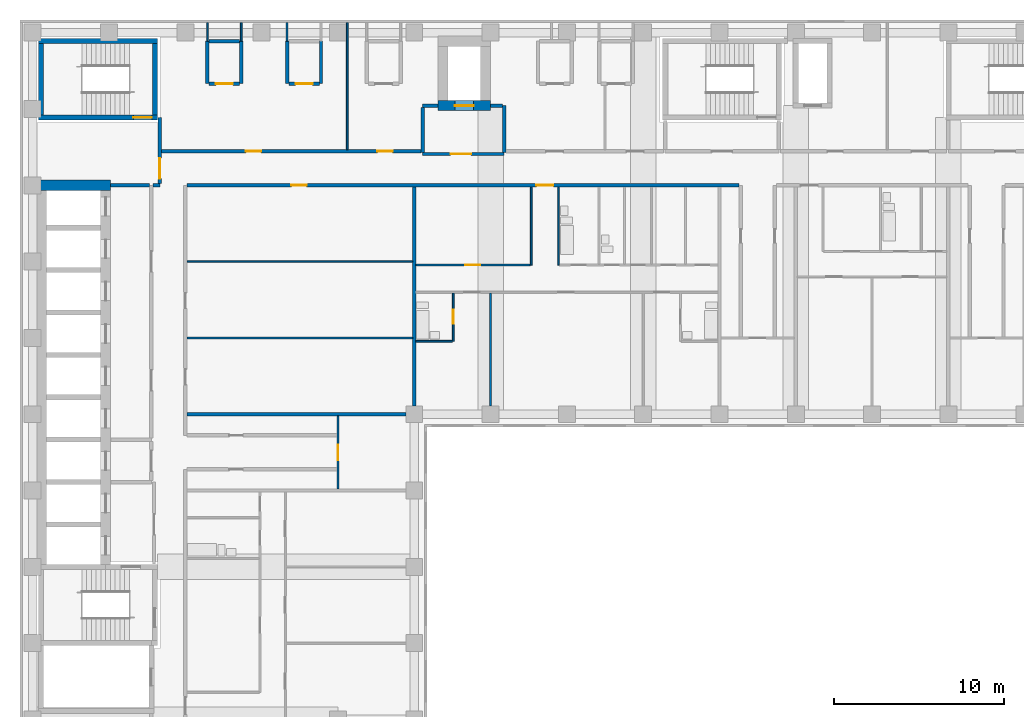
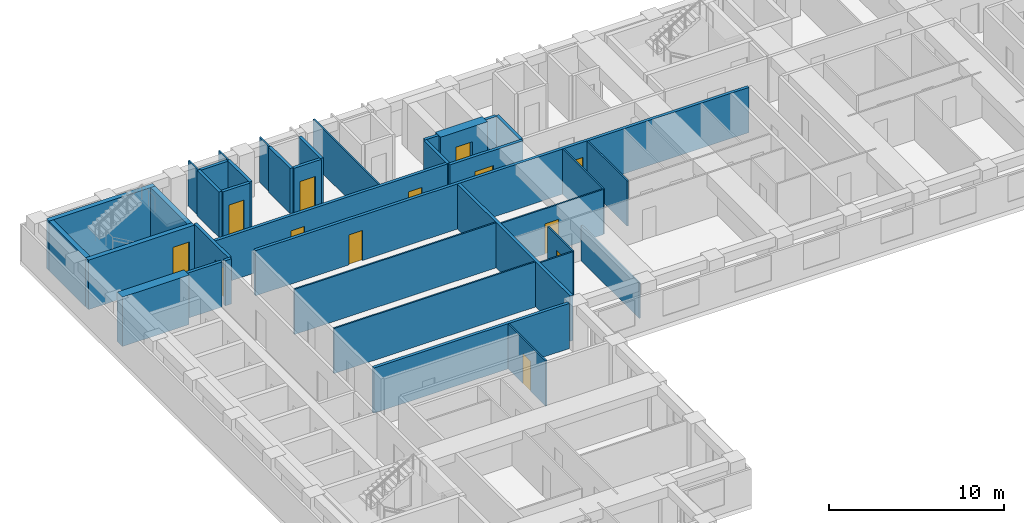
# One storey, part 5 of 12: 38 walls, 13 doors, 13 openings.
"""IFC4 building model written with IfcOpenShell, lengths in metres."""

from ifc_helpers import new_model, si_unit, direction, frame, frame_2d, origin, place, context, subcontext, project, spatial, rectangle, extrude, material, layer, layer_set, type_object, element, fill, save


model = new_model("IFC4")

# Units and contexts
model_context = context("Model", 3, precision=1e-05, world=origin(), true_north=direction((0.0, 1.0)))
body_context = subcontext(model_context, "Body", "Model", "MODEL_VIEW")
ifc_project = project(units=[si_unit("LENGTHUNIT", "METRE"), si_unit("AREAUNIT", "SQUARE_METRE"), si_unit("VOLUMEUNIT", "CUBIC_METRE"), si_unit("PLANEANGLEUNIT", "RADIAN"), si_unit("MASSUNIT", "GRAM", prefix="KILO")], contexts=[model_context])

# Site, building, storey
site_placement = place(None, origin())
site = spatial("IfcSite", under=ifc_project, at=site_placement, CompositionType="ELEMENT")
building_placement = place(site_placement, origin())
building = spatial("IfcBuilding", under=site, at=building_placement, Name="Firuza Court", CompositionType="ELEMENT")
storey_placement = place(building_placement, frame((0.0, 0.0, 170.0)))
storey = spatial("IfcBuildingStorey", under=building, at=storey_placement, Name="L43", CompositionType="ELEMENT", Elevation=170.0)

# Wall
ifc_material_1 = material(Name="Moisture-resistant gypsum board partition")
ifc_layer_1 = layer(ifc_material_1, 0.10009765625)
ifc_layer_set_1 = layer_set([ifc_layer_1], Name="Moisture-resistant gypsum board partition")
wall_type_1 = type_object("IfcWallType", Name="Bathroom partition 100", PredefinedType="PLUMBINGWALL", material=ifc_layer_set_1)
wall_1_placement = place(storey_placement, frame((22.60009765625, 40.300048828125, 0.0), z_axis=(0.0, 0.0, 1.0), x_axis=(1.0, 0.0, 0.0)))
element("IfcWall", 1, at=wall_1_placement, inside=storey, type_object=wall_type_1, Name="Bathroom partition 100 L43", PredefinedType="PLUMBINGWALL", context=body_context, shape_type="SweptSolid", body=[
    extrude(rectangle(XDim=2.14990234375, YDim=0.10009765625, at=frame_2d((1.074951171875, 0.0))), origin(), (0.0, 0.0, 1.0), 3.14990234375),
])

# Wall, opening, door
wall_2_placement = place(storey_placement, frame((24.800048828125, 40.300048828125, 0.0), z_axis=(0.0, 0.0, 1.0), x_axis=(0.0, 1.0, 0.0)))
wall_2 = element("IfcWall", 2, at=wall_2_placement, inside=storey, type_object=wall_type_1, Name="Bathroom partition 100 L43", PredefinedType="PLUMBINGWALL", context=body_context, shape_type="SweptSolid", body=[
    extrude(rectangle(XDim=2.849853515625, YDim=0.10009765625, at=frame_2d((1.4248046875, 0.0))), origin(), (0.0, 0.0, 1.0), 3.14990234375),
])
opening_1_placement = place(wall_2_placement, frame((1.050048828125, 0.0, 0.0)))
opening_1 = element("IfcOpeningElement", 3, at=opening_1_placement, cuts=wall_2, Name="Opening D43040", PredefinedType="OPENING", context=body_context, shape_type="SweptSolid", body=[
    extrude(rectangle(XDim=0.800048828125, YDim=2.10009765625, at=frame_2d((0.39990234375, 1.050048828125))), frame((0.0, 0.06201171875, 0.0), z_axis=(0.0, -1.0, 0.0), x_axis=(1.0, 0.0, 0.0)), (0.0, 0.0, 1.0), 0.1240234375),
])
ifc_material_2 = material(Name="Timber door leaf in hardwood frame", Category="wood")
door_type_1 = type_object("IfcDoorType", Name="Bathroom door 800", OperationType="SINGLE_SWING_LEFT", PredefinedType="DOOR", material=ifc_material_2)
door_1_placement = place(opening_1_placement, origin())
door_1 = element("IfcDoor", 4, at=door_1_placement, inside=storey, type_object=door_type_1, Name="En-suite door", OperationType="SINGLE_SWING_LEFT", OverallHeight=2.10009765625, OverallWidth=0.800048828125, PredefinedType="DOOR", context=body_context, shape_type="SweptSolid", body=[
    extrude(rectangle(XDim=0.800048828125, YDim=2.10009765625, at=frame_2d((0.39990234375, 1.050048828125))), frame((0.0, 0.02490234375, 0.0), z_axis=(0.0, -1.0, 0.0), x_axis=(1.0, 0.0, 0.0)), (0.0, 0.0, 1.0), 0.050048828125),
])
fill(opening_1, door_1)

# Wall
wall_3_placement = place(storey_placement, frame((31.0, 44.800048828125, 0.0), z_axis=(0.0, 0.0, 1.0), x_axis=(0.0, 1.0, 0.0)))
element("IfcWall", 5, at=wall_3_placement, inside=storey, type_object=wall_type_1, Name="Bathroom partition 100 L43", PredefinedType="PLUMBINGWALL", context=body_context, shape_type="SweptSolid", body=[
    extrude(rectangle(XDim=4.599853515625, YDim=0.10009765625, at=frame_2d((2.2998046875, 0.0))), origin(), (0.0, 0.0, 1.0), 3.14990234375),
])

# Wall, opening, door
ifc_material_3 = material(Name="Concrete C60/75", Category="concrete")
ifc_layer_2 = layer(ifc_material_3, 0.300048828125)
ifc_layer_set_2 = layer_set([ifc_layer_2], Name="Concrete C60/75")
wall_type_2 = type_object("IfcWallType", Name="Core wall 300 C60/75", PredefinedType="SHEAR", material=ifc_layer_set_2)
wall_4_placement = place(storey_placement, frame((0.35009765625, 53.5, -0.300048828125), z_axis=(0.0, 0.0, 1.0), x_axis=(1.0, 0.0, 0.0)))
wall_4 = element("IfcWall", 6, at=wall_4_placement, inside=storey, type_object=wall_type_2, Name="Core wall stair L43", PredefinedType="SHEAR", context=body_context, shape_type="SweptSolid", body=[
    extrude(rectangle(XDim=7.0, YDim=0.300048828125, at=frame_2d((3.5, 0.0))), origin(), (0.0, 0.0, 1.0), 3.449951171875),
])
opening_2_placement = place(wall_4_placement, frame((5.580078125, 0.0, 0.300048828125)))
opening_2 = element("IfcOpeningElement", 7, at=opening_2_placement, cuts=wall_4, Name="Opening D43015", PredefinedType="OPENING", context=body_context, shape_type="SweptSolid", body=[
    extrude(rectangle(XDim=1.10009765625, YDim=2.10009765625, at=frame_2d((0.550048828125, 1.050048828125))), frame((0.0, 0.162109375, 0.0), z_axis=(0.0, -1.0, 0.0), x_axis=(1.0, 0.0, 0.0)), (0.0, 0.0, 1.0), 0.323974609375),
])
ifc_material_4 = material(Name="Timber door leaf in hardwood frame", Category="wood")
door_type_2 = type_object("IfcDoorType", Name="Stair door 1100", OperationType="SINGLE_SWING_LEFT", PredefinedType="DOOR", material=ifc_material_4)
door_2_placement = place(opening_2_placement, origin())
door_2 = element("IfcDoor", 8, at=door_2_placement, inside=storey, type_object=door_type_2, Name="Stair door S3", OperationType="SINGLE_SWING_RIGHT", OverallHeight=2.10009765625, OverallWidth=1.10009765625, PredefinedType="DOOR", context=body_context, shape_type="SweptSolid", body=[
    extrude(rectangle(XDim=1.10009765625, YDim=2.10009765625, at=frame_2d((0.550048828125, 1.050048828125))), frame((0.0, 0.02490234375, 0.0), z_axis=(0.0, -1.0, 0.0), x_axis=(1.0, 0.0, 0.0)), (0.0, 0.0, 1.0), 0.050048828125),
])
fill(opening_2, door_2)

# Walls
wall_5_placement = place(storey_placement, frame((0.35009765625, 58.0, -0.300048828125), z_axis=(0.0, 0.0, 1.0), x_axis=(1.0, 0.0, 0.0)))
element("IfcWall", 9, at=wall_5_placement, inside=storey, type_object=wall_type_2, Name="Core wall stair L43", PredefinedType="SHEAR", context=body_context, shape_type="SweptSolid", body=[
    extrude(rectangle(XDim=7.0, YDim=0.300048828125, at=frame_2d((3.5, 0.0))), origin(), (0.0, 0.0, 1.0), 3.449951171875),
])
for number, where, z_axis, x_axis, name in (
    (10, (0.5, 53.64990234375, -0.300048828125), (0.0, 0.0, 1.0), (0.0, 1.0, 0.0), "Core wall stair L43"),
    (11, (7.199951171875, 53.64990234375, -0.300048828125), (0.0, 0.0, 1.0), (0.0, 1.0, 0.0), "Core wall stair L43"),
):
    element("IfcWall", number, at=place(storey_placement, frame(where, z_axis=z_axis, x_axis=x_axis)), inside=storey, type_object=wall_type_2, Name=name, PredefinedType="SHEAR", context=body_context, shape_type="SweptSolid", body=[
        extrude(rectangle(XDim=4.2001953125, YDim=0.300048828125, at=frame_2d((2.10009765625, 0.0))), origin(), (0.0, 0.0, 1.0), 3.449951171875),
    ])
ifc_layer_3 = layer(ifc_material_3, 0.60009765625)
ifc_layer_set_3 = layer_set([ifc_layer_3], Name="Concrete C60/75")
wall_type_3 = type_object("IfcWallType", Name="Core wall 600 C60/75", PredefinedType="SHEAR", material=ifc_layer_set_3)
wall_6_placement = place(storey_placement, frame((0.199951171875, 49.5, -0.300048828125), z_axis=(0.0, 0.0, 1.0), x_axis=(1.0, 0.0, 0.0)))
element("IfcWall", 12, at=wall_6_placement, inside=storey, type_object=wall_type_3, Name="Core wall lift shaft L43", PredefinedType="SHEAR", context=body_context, shape_type="SweptSolid", body=[
    extrude(rectangle(XDim=4.400146484375, YDim=0.60009765625, at=frame_2d((2.2001953125, 0.0))), origin(), (0.0, 0.0, 1.0), 3.449951171875),
])

# Wall, opening, door
wall_7_placement = place(storey_placement, frame((23.89990234375, 54.199951171875, -0.300048828125), z_axis=(0.0, 0.0, 1.0), x_axis=(1.0, 0.0, 0.0)))
wall_7 = element("IfcWall", 13, at=wall_7_placement, inside=storey, type_object=wall_type_3, Name="Core wall lift shaft L43", PredefinedType="SHEAR", context=body_context, shape_type="SweptSolid", body=[
    extrude(rectangle(XDim=3.10009765625, YDim=0.60009765625, at=frame_2d((1.550048828125, 0.0))), origin(), (0.0, 0.0, 1.0), 3.449951171875),
])
opening_3_placement = place(wall_7_placement, frame((1.0, 0.0, 0.300048828125)))
opening_3 = element("IfcOpeningElement", 14, at=opening_3_placement, cuts=wall_7, Name="Opening LD-FL3-43", PredefinedType="OPENING", context=body_context, shape_type="SweptSolid", body=[
    extrude(rectangle(XDim=1.10009765625, YDim=2.10009765625, at=frame_2d((0.550048828125, 1.050048828125))), frame((0.0, 0.31201171875, 0.0), z_axis=(0.0, -1.0, 0.0), x_axis=(1.0, 0.0, 0.0)), (0.0, 0.0, 1.0), 0.6240234375),
])
ifc_material_5 = material(Name="Stainless steel 1.4301 door leaf", Category="steel")
door_type_3 = type_object("IfcDoorType", Name="Lift landing door 1100", OperationType="SLIDING_TO_LEFT", PredefinedType="DOOR", material=ifc_material_5)
door_3_placement = place(opening_3_placement, origin())
door_3 = element("IfcDoor", 15, at=door_3_placement, inside=storey, type_object=door_type_3, Name="Landing door FL3", OperationType="SLIDING_TO_LEFT", OverallHeight=2.10009765625, OverallWidth=1.10009765625, PredefinedType="DOOR", context=body_context, shape_type="SweptSolid", body=[
    extrude(rectangle(XDim=1.10009765625, YDim=2.10009765625, at=frame_2d((0.550048828125, 1.050048828125))), frame((0.0, 0.02490234375, 0.0), z_axis=(0.0, -1.0, 0.0), x_axis=(1.0, 0.0, 0.0)), (0.0, 0.0, 1.0), 0.050048828125),
])
fill(opening_3, door_3)

# Wall, openings, doors
ifc_material_6 = material(Name="Blockwork, plastered both sides", Category="masonry")
ifc_layer_4 = layer(ifc_material_6, 0.199951171875)
ifc_layer_set_4 = layer_set([ifc_layer_4], Name="Blockwork, plastered both sides")
wall_type_4 = type_object("IfcWallType", Name="Corridor wall 200", PredefinedType="PARTITIONING", material=ifc_layer_set_4)
wall_8_placement = place(storey_placement, frame((9.10009765625, 49.5, 0.0), z_axis=(0.0, 0.0, 1.0), x_axis=(1.0, 0.0, 0.0)))
wall_8 = element("IfcWall", 16, at=wall_8_placement, inside=storey, type_object=wall_type_4, Name="Corridor wall 200 L43", PredefinedType="PARTITIONING", context=body_context, shape_type="SweptSolid", body=[
    extrude(rectangle(XDim=32.5498046875, YDim=0.199951171875, at=frame_2d((16.27490234375, 0.0))), origin(), (0.0, 0.0, 1.0), 3.14990234375),
])
opening_4_placement = place(wall_8_placement, frame((20.60009765625, 0.0, 0.0)))
opening_4 = element("IfcOpeningElement", 17, at=opening_4_placement, cuts=wall_8, Name="Opening D43067", PredefinedType="OPENING", context=body_context, shape_type="SweptSolid", body=[
    extrude(rectangle(XDim=1.0, YDim=2.10009765625, at=frame_2d((0.5, 1.050048828125))), frame((0.0, 0.11181640625, 0.0), z_axis=(0.0, -1.0, 0.0), x_axis=(1.0, 0.0, 0.0)), (0.0, 0.0, 1.0), 0.223876953125),
])
opening_5_placement = place(wall_8_placement, frame((6.14990234375, 0.0, 0.0)))
opening_5 = element("IfcOpeningElement", 18, at=opening_5_placement, cuts=wall_8, Name="Opening D43068", PredefinedType="OPENING", context=body_context, shape_type="SweptSolid", body=[
    extrude(rectangle(XDim=0.89990234375, YDim=2.10009765625, at=frame_2d((0.449951171875, 1.050048828125))), frame((0.0, 0.11181640625, 0.0), z_axis=(0.0, -1.0, 0.0), x_axis=(1.0, 0.0, 0.0)), (0.0, 0.0, 1.0), 0.223876953125),
])
ifc_material_7 = material(Name="Timber door leaf in hardwood frame", Category="wood")
door_type_4 = type_object("IfcDoorType", Name="Flat entrance door 1000", OperationType="SINGLE_SWING_LEFT", PredefinedType="DOOR", material=ifc_material_7)
door_4_placement = place(opening_4_placement, origin())
door_4 = element("IfcDoor", 19, at=door_4_placement, inside=storey, type_object=door_type_4, Name="Flat entrance door", OperationType="SINGLE_SWING_LEFT", OverallHeight=2.10009765625, OverallWidth=1.0, PredefinedType="DOOR", context=body_context, shape_type="SweptSolid", body=[
    extrude(rectangle(XDim=1.0, YDim=2.10009765625, at=frame_2d((0.5, 1.050048828125))), frame((0.0, 0.02490234375, 0.0), z_axis=(0.0, -1.0, 0.0), x_axis=(1.0, 0.0, 0.0)), (0.0, 0.0, 1.0), 0.050048828125),
])
fill(opening_4, door_4)
ifc_material_8 = material(Name="Timber door leaf in hardwood frame", Category="wood")
door_type_5 = type_object("IfcDoorType", Name="Room door 900 EI 30", OperationType="SINGLE_SWING_LEFT", PredefinedType="DOOR", material=ifc_material_8)
door_5_placement = place(opening_5_placement, frame((0.89990234375, 0.0, 0.0), z_axis=(0.0, 0.0, 1.0), x_axis=(-1.0, 0.0, 0.0)))
door_5 = element("IfcDoor", 20, at=door_5_placement, inside=storey, type_object=door_type_5, Name="Business room door", OperationType="SINGLE_SWING_RIGHT", OverallHeight=2.10009765625, OverallWidth=0.89990234375, PredefinedType="DOOR", context=body_context, shape_type="SweptSolid", body=[
    extrude(rectangle(XDim=0.89990234375, YDim=2.10009765625, at=frame_2d((0.449951171875, 1.050048828125))), frame((0.0, 0.02490234375, 0.0), z_axis=(0.0, -1.0, 0.0), x_axis=(1.0, 0.0, 0.0)), (0.0, 0.0, 1.0), 0.050048828125),
])
fill(opening_5, door_5)

wall_9_placement = place(storey_placement, frame((7.60009765625, 51.5, 0.0), z_axis=(0.0, 0.0, 1.0), x_axis=(1.0, 0.0, 0.0)))
wall_9 = element("IfcWall", 21, at=wall_9_placement, inside=storey, type_object=wall_type_4, Name="Corridor wall 200 L43", PredefinedType="PARTITIONING", context=body_context, shape_type="SweptSolid", body=[
    extrude(rectangle(XDim=15.2998046875, YDim=0.199951171875, at=frame_2d((7.64990234375, 0.0))), origin(), (0.0, 0.0, 1.0), 3.14990234375),
])
opening_6_placement = place(wall_9_placement, frame((4.97509765625, 0.0, 0.0)))
opening_6 = element("IfcOpeningElement", 22, at=opening_6_placement, cuts=wall_9, Name="Opening D43071", PredefinedType="OPENING", context=body_context, shape_type="SweptSolid", body=[
    extrude(rectangle(XDim=0.89990234375, YDim=2.10009765625, at=frame_2d((0.449951171875, 1.050048828125))), frame((0.0, 0.11181640625, 0.0), z_axis=(0.0, -1.0, 0.0), x_axis=(1.0, 0.0, 0.0)), (0.0, 0.0, 1.0), 0.223876953125),
])
opening_7_placement = place(wall_9_placement, frame((12.72509765625, 0.0, 0.0)))
opening_7 = element("IfcOpeningElement", 23, at=opening_7_placement, cuts=wall_9, Name="Opening D43072", PredefinedType="OPENING", context=body_context, shape_type="SweptSolid", body=[
    extrude(rectangle(XDim=0.89990234375, YDim=2.10009765625, at=frame_2d((0.449951171875, 1.050048828125))), frame((0.0, 0.11181640625, 0.0), z_axis=(0.0, -1.0, 0.0), x_axis=(1.0, 0.0, 0.0)), (0.0, 0.0, 1.0), 0.223876953125),
])
door_6_placement = place(opening_6_placement, origin())
door_6 = element("IfcDoor", 24, at=door_6_placement, inside=storey, type_object=door_type_5, Name="Residents' workroom door", OperationType="SINGLE_SWING_LEFT", OverallHeight=2.10009765625, OverallWidth=0.89990234375, PredefinedType="DOOR", context=body_context, shape_type="SweptSolid", body=[
    extrude(rectangle(XDim=0.89990234375, YDim=2.10009765625, at=frame_2d((0.449951171875, 1.050048828125))), frame((0.0, 0.02490234375, 0.0), z_axis=(0.0, -1.0, 0.0), x_axis=(1.0, 0.0, 0.0)), (0.0, 0.0, 1.0), 0.050048828125),
])
fill(opening_6, door_6)
door_7_placement = place(opening_7_placement, origin())
door_7 = element("IfcDoor", 25, at=door_7_placement, inside=storey, type_object=door_type_5, Name="Residents' workroom door", OperationType="SINGLE_SWING_LEFT", OverallHeight=2.10009765625, OverallWidth=0.89990234375, PredefinedType="DOOR", context=body_context, shape_type="SweptSolid", body=[
    extrude(rectangle(XDim=0.89990234375, YDim=2.10009765625, at=frame_2d((0.449951171875, 1.050048828125))), frame((0.0, 0.02490234375, 0.0), z_axis=(0.0, -1.0, 0.0), x_axis=(1.0, 0.0, 0.0)), (0.0, 0.0, 1.0), 0.050048828125),
])
fill(opening_7, door_7)

# Wall, opening, door
ifc_material_9 = material(Name="Timber stud partition, plasterboard both sides", Category="wood")
ifc_layer_5 = layer(ifc_material_9, 0.10009765625)
ifc_layer_set_5 = layer_set([ifc_layer_5], Name="Timber stud partition, plasterboard both sides")
wall_type_5 = type_object("IfcWallType", Name="Partition wall 100", PredefinedType="PARTITIONING", material=ifc_layer_set_5)
wall_10_placement = place(storey_placement, frame((18.0, 31.60009765625, 0.0), z_axis=(0.0, 0.0, 1.0), x_axis=(0.0, 1.0, 0.0)))
wall_10 = element("IfcWall", 26, at=wall_10_placement, inside=storey, type_object=wall_type_5, Name="Partition wall 100 L43", PredefinedType="PARTITIONING", context=body_context, shape_type="SweptSolid", body=[
    extrude(rectangle(XDim=4.2998046875, YDim=0.10009765625, at=frame_2d((2.14990234375, 0.0))), origin(), (0.0, 0.0, 1.0), 3.14990234375),
])
opening_8_placement = place(wall_10_placement, frame((1.699951171875, 0.0, 0.0)))
opening_8 = element("IfcOpeningElement", 27, at=opening_8_placement, cuts=wall_10, Name="Opening D43035", PredefinedType="OPENING", context=body_context, shape_type="SweptSolid", body=[
    extrude(rectangle(XDim=0.89990234375, YDim=2.10009765625, at=frame_2d((0.449951171875, 1.050048828125))), frame((0.0, 0.06201171875, 0.0), z_axis=(0.0, -1.0, 0.0), x_axis=(1.0, 0.0, 0.0)), (0.0, 0.0, 1.0), 0.1240234375),
])
ifc_material_10 = material(Name="Timber door leaf in hardwood frame", Category="wood")
door_type_6 = type_object("IfcDoorType", Name="Room door 900", OperationType="SINGLE_SWING_LEFT", PredefinedType="DOOR", material=ifc_material_10)
door_8_placement = place(opening_8_placement, origin())
door_8 = element("IfcDoor", 28, at=door_8_placement, inside=storey, type_object=door_type_6, Name="Residents' lounge door", OperationType="SINGLE_SWING_LEFT", OverallHeight=2.10009765625, OverallWidth=0.89990234375, PredefinedType="DOOR", context=body_context, shape_type="SweptSolid", body=[
    extrude(rectangle(XDim=0.89990234375, YDim=2.10009765625, at=frame_2d((0.449951171875, 1.050048828125))), frame((0.0, 0.02490234375, 0.0), z_axis=(0.0, -1.0, 0.0), x_axis=(1.0, 0.0, 0.0)), (0.0, 0.0, 1.0), 0.050048828125),
])
fill(opening_8, door_8)

# Walls
wall_11_placement = place(storey_placement, frame((27.0, 36.5, 0.0), z_axis=(0.0, 0.0, 1.0), x_axis=(0.0, 1.0, 0.0)))
element("IfcWall", 29, at=wall_11_placement, inside=storey, type_object=wall_type_5, Name="Partition wall 100 L43", PredefinedType="PARTITIONING", context=body_context, shape_type="SweptSolid", body=[
    extrude(rectangle(XDim=6.64990234375, YDim=0.10009765625, at=frame_2d((3.324951171875, 0.0))), origin(), (0.0, 0.0, 1.0), 2.449951171875),
])
wall_12_placement = place(storey_placement, frame((9.10009765625, 40.5, 0.0), z_axis=(0.0, 0.0, 1.0), x_axis=(1.0, 0.0, 0.0)))
element("IfcWall", 30, at=wall_12_placement, inside=storey, type_object=wall_type_5, Name="Partition wall 100 L43", PredefinedType="PARTITIONING", context=body_context, shape_type="SweptSolid", body=[
    extrude(rectangle(XDim=13.2998046875, YDim=0.10009765625, at=frame_2d((6.64990234375, 0.0))), origin(), (0.0, 0.0, 1.0), 3.14990234375),
])

# Wall, opening, door
wall_13_placement = place(storey_placement, frame((22.60009765625, 44.800048828125, 0.0), z_axis=(0.0, 0.0, 1.0), x_axis=(1.0, 0.0, 0.0)))
wall_13 = element("IfcWall", 31, at=wall_13_placement, inside=storey, type_object=wall_type_5, Name="Partition wall 100 L43", PredefinedType="PARTITIONING", context=body_context, shape_type="SweptSolid", body=[
    extrude(rectangle(XDim=6.75, YDim=0.10009765625, at=frame_2d((3.375, 0.0))), origin(), (0.0, 0.0, 1.0), 3.14990234375),
])
opening_9_placement = place(wall_13_placement, frame((2.89990234375, 0.0, 0.0)))
opening_9 = element("IfcOpeningElement", 32, at=opening_9_placement, cuts=wall_13, Name="Opening D43055", PredefinedType="OPENING", context=body_context, shape_type="SweptSolid", body=[
    extrude(rectangle(XDim=0.89990234375, YDim=2.10009765625, at=frame_2d((0.449951171875, 1.050048828125))), frame((0.0, 0.06201171875, 0.0), z_axis=(0.0, -1.0, 0.0), x_axis=(1.0, 0.0, 0.0)), (0.0, 0.0, 1.0), 0.1240234375),
])
door_9_placement = place(opening_9_placement, origin())
door_9 = element("IfcDoor", 33, at=door_9_placement, inside=storey, type_object=door_type_6, Name="Kitchen door", OperationType="SINGLE_SWING_LEFT", OverallHeight=2.10009765625, OverallWidth=0.89990234375, PredefinedType="DOOR", context=body_context, shape_type="SweptSolid", body=[
    extrude(rectangle(XDim=0.89990234375, YDim=2.10009765625, at=frame_2d((0.449951171875, 1.050048828125))), frame((0.0, 0.02490234375, 0.0), z_axis=(0.0, -1.0, 0.0), x_axis=(1.0, 0.0, 0.0)), (0.0, 0.0, 1.0), 0.050048828125),
])
fill(opening_9, door_9)

# Walls
wall_14_placement = place(storey_placement, frame((29.39990234375, 44.800048828125, 0.0), z_axis=(0.0, 0.0, 1.0), x_axis=(0.0, 1.0, 0.0)))
element("IfcWall", 34, at=wall_14_placement, inside=storey, type_object=wall_type_5, Name="Partition wall 100 L43", PredefinedType="PARTITIONING", context=body_context, shape_type="SweptSolid", body=[
    extrude(rectangle(XDim=4.599853515625, YDim=0.10009765625, at=frame_2d((2.2998046875, 0.0))), origin(), (0.0, 0.0, 1.0), 3.14990234375),
])
wall_15_placement = place(storey_placement, frame((9.10009765625, 45.0, 0.0), z_axis=(0.0, 0.0, 1.0), x_axis=(1.0, 0.0, 0.0)))
element("IfcWall", 35, at=wall_15_placement, inside=storey, type_object=wall_type_5, Name="Partition wall 100 L43", PredefinedType="PARTITIONING", context=body_context, shape_type="SweptSolid", body=[
    extrude(rectangle(XDim=13.2998046875, YDim=0.10009765625, at=frame_2d((6.64990234375, 0.0))), origin(), (0.0, 0.0, 1.0), 3.14990234375),
])
wall_16_placement = place(storey_placement, frame((18.550048828125, 51.60009765625, 0.0), z_axis=(0.0, 0.0, 1.0), x_axis=(0.0, 1.0, 0.0)))
element("IfcWall", 36, at=wall_16_placement, inside=storey, type_object=wall_type_5, Name="Partition wall 100 L43", PredefinedType="PARTITIONING", context=body_context, shape_type="SweptSolid", body=[
    extrude(rectangle(XDim=7.5, YDim=0.10009765625, at=frame_2d((3.75, 0.0))), origin(), (0.0, 0.0, 1.0), 3.14990234375),
])
for number, where, z_axis, x_axis, name in (
    (37, (10.300048828125, 58.0, 0.0), (0.0, 0.0, 1.0), (0.0, 1.0, 0.0), "Partition wall 100 L43"),
    (38, (12.300048828125, 58.0, 0.0), (0.0, 0.0, 1.0), (0.0, 1.0, 0.0), "Partition wall 100 L43"),
    (39, (15.0, 58.0, 0.0), (0.0, 0.0, 1.0), (0.0, 1.0, 0.0), "Partition wall 100 L43"),
):
    element("IfcWall", number, at=place(storey_placement, frame(where, z_axis=z_axis, x_axis=x_axis)), inside=storey, type_object=wall_type_5, Name=name, PredefinedType="PARTITIONING", context=body_context, shape_type="SweptSolid", body=[
        extrude(rectangle(XDim=1.10009765625, YDim=0.10009765625, at=frame_2d((0.550048828125, 0.0))), origin(), (0.0, 0.0, 1.0), 3.14990234375),
    ])
ifc_layer_6 = layer(ifc_material_6, 0.199951171875)
ifc_layer_set_6 = layer_set([ifc_layer_6], Name="Blockwork, plastered both sides")
wall_type_6 = type_object("IfcWallType", Name="Party wall 200", PredefinedType="PARTITIONING", material=ifc_layer_set_6)
for number, where, z_axis, x_axis, name in (
    (40, (9.10009765625, 36.0, 0.0), (0.0, 0.0, 1.0), (1.0, 0.0, 0.0), "Party wall 200 L43"),
    (41, (22.5, 36.5, 0.0), (0.0, 0.0, 1.0), (0.0, 1.0, 0.0), "Party wall 200 L43"),
):
    element("IfcWall", number, at=place(storey_placement, frame(where, z_axis=z_axis, x_axis=x_axis)), inside=storey, type_object=wall_type_6, Name=name, PredefinedType="PARTITIONING", context=body_context, shape_type="SweptSolid", body=[
        extrude(rectangle(XDim=12.89990234375, YDim=0.199951171875, at=frame_2d((6.449951171875, 0.0))), origin(), (0.0, 0.0, 1.0), 3.14990234375),
    ])
ifc_material_11 = material(Name="Blockwork, fire-rated", Category="masonry")
ifc_layer_7 = layer(ifc_material_11, 0.199951171875)
ifc_layer_set_7 = layer_set([ifc_layer_7], Name="Blockwork, fire-rated")
wall_type_7 = type_object("IfcWallType", Name="Plant room wall 200", PredefinedType="PARTITIONING", material=ifc_layer_set_7)
wall_17_placement = place(storey_placement, frame((10.300048828125, 55.5, 0.0), z_axis=(0.0, 0.0, 1.0), x_axis=(0.0, 1.0, 0.0)))
element("IfcWall", 42, at=wall_17_placement, inside=storey, type_object=wall_type_7, Name="Plant room wall 200 L43", PredefinedType="PARTITIONING", context=body_context, shape_type="SweptSolid", body=[
    extrude(rectangle(XDim=2.5, YDim=0.199951171875, at=frame_2d((1.25, 0.0))), origin(), (0.0, 0.0, 1.0), 3.14990234375),
])

# Wall, opening, door
wall_18_placement = place(storey_placement, frame((10.39990234375, 55.5, 0.0), z_axis=(0.0, 0.0, 1.0), x_axis=(1.0, 0.0, 0.0)))
wall_18 = element("IfcWall", 43, at=wall_18_placement, inside=storey, type_object=wall_type_7, Name="Plant room wall 200 L43", PredefinedType="PARTITIONING", context=body_context, shape_type="SweptSolid", body=[
    extrude(rectangle(XDim=1.800048828125, YDim=0.199951171875, at=frame_2d((0.89990234375, 0.0))), origin(), (0.0, 0.0, 1.0), 3.14990234375),
])
opening_10_placement = place(wall_18_placement, frame((0.39990234375, 0.0, 0.0)))
opening_10 = element("IfcOpeningElement", 44, at=opening_10_placement, cuts=wall_18, Name="Opening D43078", PredefinedType="OPENING", context=body_context, shape_type="SweptSolid", body=[
    extrude(rectangle(XDim=1.0, YDim=2.10009765625, at=frame_2d((0.5, 1.050048828125))), frame((0.0, 0.11181640625, 0.0), z_axis=(0.0, -1.0, 0.0), x_axis=(1.0, 0.0, 0.0)), (0.0, 0.0, 1.0), 0.223876953125),
])
ifc_material_12 = material(Name="Timber door leaf in hardwood frame", Category="wood")
door_type_7 = type_object("IfcDoorType", Name="Riser door 1000", OperationType="SINGLE_SWING_LEFT", PredefinedType="DOOR", material=ifc_material_12)
door_10_placement = place(opening_10_placement, origin())
door_10 = element("IfcDoor", 45, at=door_10_placement, inside=storey, type_object=door_type_7, Name="Comms riser door", OperationType="SINGLE_SWING_LEFT", OverallHeight=2.10009765625, OverallWidth=1.0, PredefinedType="DOOR", context=body_context, shape_type="SweptSolid", body=[
    extrude(rectangle(XDim=1.0, YDim=2.10009765625, at=frame_2d((0.5, 1.050048828125))), frame((0.0, 0.02490234375, 0.0), z_axis=(0.0, -1.0, 0.0), x_axis=(1.0, 0.0, 0.0)), (0.0, 0.0, 1.0), 0.050048828125),
])
fill(opening_10, door_10)

# Walls
for number, where, z_axis, x_axis, name in (
    (46, (12.300048828125, 55.5, 0.0), (0.0, 0.0, 1.0), (0.0, 1.0, 0.0), "Plant room wall 200 L43"),
    (47, (15.0, 55.5, 0.0), (0.0, 0.0, 1.0), (0.0, 1.0, 0.0), "Plant room wall 200 L43"),
):
    element("IfcWall", number, at=place(storey_placement, frame(where, z_axis=z_axis, x_axis=x_axis)), inside=storey, type_object=wall_type_7, Name=name, PredefinedType="PARTITIONING", context=body_context, shape_type="SweptSolid", body=[
        extrude(rectangle(XDim=2.5, YDim=0.199951171875, at=frame_2d((1.25, 0.0))), origin(), (0.0, 0.0, 1.0), 3.14990234375),
    ])

# Wall, opening, door
wall_19_placement = place(storey_placement, frame((15.10009765625, 55.5, 0.0), z_axis=(0.0, 0.0, 1.0), x_axis=(1.0, 0.0, 0.0)))
wall_19 = element("IfcWall", 48, at=wall_19_placement, inside=storey, type_object=wall_type_7, Name="Plant room wall 200 L43", PredefinedType="PARTITIONING", context=body_context, shape_type="SweptSolid", body=[
    extrude(rectangle(XDim=1.7998046875, YDim=0.199951171875, at=frame_2d((0.89990234375, 0.0))), origin(), (0.0, 0.0, 1.0), 3.14990234375),
])
opening_11_placement = place(wall_19_placement, frame((0.39990234375, 0.0, 0.0)))
opening_11 = element("IfcOpeningElement", 49, at=opening_11_placement, cuts=wall_19, Name="Opening D43079", PredefinedType="OPENING", context=body_context, shape_type="SweptSolid", body=[
    extrude(rectangle(XDim=1.0, YDim=2.10009765625, at=frame_2d((0.5, 1.050048828125))), frame((0.0, 0.11181640625, 0.0), z_axis=(0.0, -1.0, 0.0), x_axis=(1.0, 0.0, 0.0)), (0.0, 0.0, 1.0), 0.223876953125),
])
door_11_placement = place(opening_11_placement, origin())
door_11 = element("IfcDoor", 50, at=door_11_placement, inside=storey, type_object=door_type_7, Name="Electrical riser door", OperationType="SINGLE_SWING_LEFT", OverallHeight=2.10009765625, OverallWidth=1.0, PredefinedType="DOOR", context=body_context, shape_type="SweptSolid", body=[
    extrude(rectangle(XDim=1.0, YDim=2.10009765625, at=frame_2d((0.5, 1.050048828125))), frame((0.0, 0.02490234375, 0.0), z_axis=(0.0, -1.0, 0.0), x_axis=(1.0, 0.0, 0.0)), (0.0, 0.0, 1.0), 0.050048828125),
])
fill(opening_11, door_11)

# Walls
wall_20_placement = place(storey_placement, frame((17.0, 55.5, 0.0), z_axis=(0.0, 0.0, 1.0), x_axis=(0.0, 1.0, 0.0)))
element("IfcWall", 51, at=wall_20_placement, inside=storey, type_object=wall_type_7, Name="Plant room wall 200 L43", PredefinedType="PARTITIONING", context=body_context, shape_type="SweptSolid", body=[
    extrude(rectangle(XDim=2.5, YDim=0.199951171875, at=frame_2d((1.25, 0.0))), origin(), (0.0, 0.0, 1.0), 3.14990234375),
])
wall_21_placement = place(storey_placement, frame((10.39990234375, 58.0, 0.0), z_axis=(0.0, 0.0, 1.0), x_axis=(1.0, 0.0, 0.0)))
element("IfcWall", 52, at=wall_21_placement, inside=storey, type_object=wall_type_7, Name="Plant room wall 200 L43", PredefinedType="PARTITIONING", context=body_context, shape_type="SweptSolid", body=[
    extrude(rectangle(XDim=1.800048828125, YDim=0.199951171875, at=frame_2d((0.89990234375, 0.0))), origin(), (0.0, 0.0, 1.0), 3.14990234375),
])
ifc_layer_8 = layer(ifc_material_11, 0.199951171875)
ifc_layer_set_8 = layer_set([ifc_layer_8], Name="Blockwork, fire-rated")
wall_type_8 = type_object("IfcWallType", Name="Shaft wall 200", PredefinedType="PARTITIONING", material=ifc_layer_set_8)
wall_22_placement = place(storey_placement, frame((4.60009765625, 49.5, 0.0), z_axis=(0.0, 0.0, 1.0), x_axis=(1.0, 0.0, 0.0)))
element("IfcWall", 53, at=wall_22_placement, inside=storey, type_object=wall_type_8, Name="Shaft wall 200 L43", PredefinedType="PARTITIONING", context=body_context, shape_type="SweptSolid", body=[
    extrude(rectangle(XDim=2.2998046875, YDim=0.199951171875, at=frame_2d((1.14990234375, 0.0))), origin(), (0.0, 0.0, 1.0), 3.14990234375),
])

# Wall, opening, door
wall_23_placement = place(storey_placement, frame((23.0, 51.35009765625, 0.0), z_axis=(0.0, 0.0, 1.0), x_axis=(1.0, 0.0, 0.0)))
wall_23 = element("IfcWall", 54, at=wall_23_placement, inside=storey, type_object=wall_type_8, Name="Shaft wall 200 L43", PredefinedType="PARTITIONING", context=body_context, shape_type="SweptSolid", body=[
    extrude(rectangle(XDim=4.800048828125, YDim=0.199951171875, at=frame_2d((2.39990234375, 0.0))), origin(), (0.0, 0.0, 1.0), 3.14990234375),
])
opening_12_placement = place(wall_23_placement, frame((1.64990234375, 0.0, 0.0)))
opening_12 = element("IfcOpeningElement", 55, at=opening_12_placement, cuts=wall_23, Name="Opening D43003", PredefinedType="OPENING", context=body_context, shape_type="SweptSolid", body=[
    extrude(rectangle(XDim=1.199951171875, YDim=2.10009765625, at=frame_2d((0.60009765625, 1.050048828125))), frame((0.0, 0.11181640625, 0.0), z_axis=(0.0, -1.0, 0.0), x_axis=(1.0, 0.0, 0.0)), (0.0, 0.0, 1.0), 0.223876953125),
])
ifc_material_13 = material(Name="Timber door leaf in hardwood frame", Category="wood")
door_type_8 = type_object("IfcDoorType", Name="Lobby door 1200", OperationType="SINGLE_SWING_LEFT", PredefinedType="DOOR", material=ifc_material_13)
door_12_placement = place(opening_12_placement, origin())
door_12 = element("IfcDoor", 56, at=door_12_placement, inside=storey, type_object=door_type_8, Name="Fire-fighting lobby door", OperationType="SINGLE_SWING_LEFT", OverallHeight=2.10009765625, OverallWidth=1.199951171875, PredefinedType="DOOR", context=body_context, shape_type="SweptSolid", body=[
    extrude(rectangle(XDim=1.199951171875, YDim=2.10009765625, at=frame_2d((0.60009765625, 1.050048828125))), frame((0.0, 0.02490234375, 0.0), z_axis=(0.0, -1.0, 0.0), x_axis=(1.0, 0.0, 0.0)), (0.0, 0.0, 1.0), 0.050048828125),
])
fill(opening_12, door_12)

# Walls
wall_24_placement = place(storey_placement, frame((27.800048828125, 51.449951171875, 0.0), z_axis=(0.0, 0.0, 1.0), x_axis=(0.0, 1.0, 0.0)))
element("IfcWall", 57, at=wall_24_placement, inside=storey, type_object=wall_type_8, Name="Shaft wall 200 L43", PredefinedType="PARTITIONING", context=body_context, shape_type="SweptSolid", body=[
    extrude(rectangle(XDim=2.75, YDim=0.199951171875, at=frame_2d((1.375, 0.0))), origin(), (0.0, 0.0, 1.0), 3.14990234375),
])
wall_25_placement = place(storey_placement, frame((23.0, 54.199951171875, 0.0), z_axis=(0.0, 0.0, 1.0), x_axis=(1.0, 0.0, 0.0)))
element("IfcWall", 58, at=wall_25_placement, inside=storey, type_object=wall_type_8, Name="Shaft wall 200 L43", PredefinedType="PARTITIONING", context=body_context, shape_type="SweptSolid", body=[
    extrude(rectangle(XDim=0.89990234375, YDim=0.199951171875, at=frame_2d((0.449951171875, 0.0))), origin(), (0.0, 0.0, 1.0), 3.14990234375),
])
wall_26_placement = place(storey_placement, frame((27.0, 54.199951171875, 0.0), z_axis=(0.0, 0.0, 1.0), x_axis=(1.0, 0.0, 0.0)))
element("IfcWall", 59, at=wall_26_placement, inside=storey, type_object=wall_type_8, Name="Shaft wall 200 L43", PredefinedType="PARTITIONING", context=body_context, shape_type="SweptSolid", body=[
    extrude(rectangle(XDim=0.699951171875, YDim=0.199951171875, at=frame_2d((0.35009765625, 0.0))), origin(), (0.0, 0.0, 1.0), 3.14990234375),
])
wall_27_placement = place(storey_placement, frame((23.0, 51.449951171875, 0.0), z_axis=(0.0, 0.0, 1.0), x_axis=(0.0, 1.0, 0.0)))
element("IfcWall", 60, at=wall_27_placement, inside=storey, type_object=wall_type_8, Name="Shaft wall 200 L43", PredefinedType="PARTITIONING", context=body_context, shape_type="SweptSolid", body=[
    extrude(rectangle(XDim=2.650146484375, YDim=0.199951171875, at=frame_2d((1.3251953125, 0.0))), origin(), (0.0, 0.0, 1.0), 3.14990234375),
])
wall_28_placement = place(storey_placement, frame((7.10009765625, 49.5, 0.0), z_axis=(0.0, 0.0, 1.0), x_axis=(1.0, 0.0, 0.0)))
element("IfcWall", 61, at=wall_28_placement, inside=storey, type_object=wall_type_8, Name="Shaft wall 200 L43", PredefinedType="PARTITIONING", context=body_context, shape_type="SweptSolid", body=[
    extrude(rectangle(XDim=0.39990234375, YDim=0.199951171875, at=frame_2d((0.199951171875, 0.0))), origin(), (0.0, 0.0, 1.0), 3.14990234375),
])

# Wall, opening, door
wall_29_placement = place(storey_placement, frame((7.5, 49.60009765625, 0.0), z_axis=(0.0, 0.0, 1.0), x_axis=(0.0, 1.0, 0.0)))
wall_29 = element("IfcWall", 62, at=wall_29_placement, inside=storey, type_object=wall_type_8, Name="Shaft wall 200 L43", PredefinedType="PARTITIONING", context=body_context, shape_type="SweptSolid", body=[
    extrude(rectangle(XDim=3.89990234375, YDim=0.199951171875, at=frame_2d((1.949951171875, 0.0))), origin(), (0.0, 0.0, 1.0), 3.14990234375),
])
opening_13_placement = place(wall_29_placement, frame((0.300048828125, 0.0, 0.0)))
opening_13 = element("IfcOpeningElement", 63, at=opening_13_placement, cuts=wall_29, Name="Opening D43001", PredefinedType="OPENING", context=body_context, shape_type="SweptSolid", body=[
    extrude(rectangle(XDim=1.199951171875, YDim=2.10009765625, at=frame_2d((0.60009765625, 1.050048828125))), frame((0.0, 0.11181640625, 0.0), z_axis=(0.0, -1.0, 0.0), x_axis=(1.0, 0.0, 0.0)), (0.0, 0.0, 1.0), 0.223876953125),
])
door_13_placement = place(opening_13_placement, origin())
door_13 = element("IfcDoor", 64, at=door_13_placement, inside=storey, type_object=door_type_8, Name="Lobby door", OperationType="SINGLE_SWING_LEFT", OverallHeight=2.10009765625, OverallWidth=1.199951171875, PredefinedType="DOOR", context=body_context, shape_type="SweptSolid", body=[
    extrude(rectangle(XDim=1.199951171875, YDim=2.10009765625, at=frame_2d((0.60009765625, 1.050048828125))), frame((0.0, 0.02490234375, 0.0), z_axis=(0.0, -1.0, 0.0), x_axis=(1.0, 0.0, 0.0)), (0.0, 0.0, 1.0), 0.050048828125),
])
fill(opening_13, door_13)

save(model, "model.ifc")
